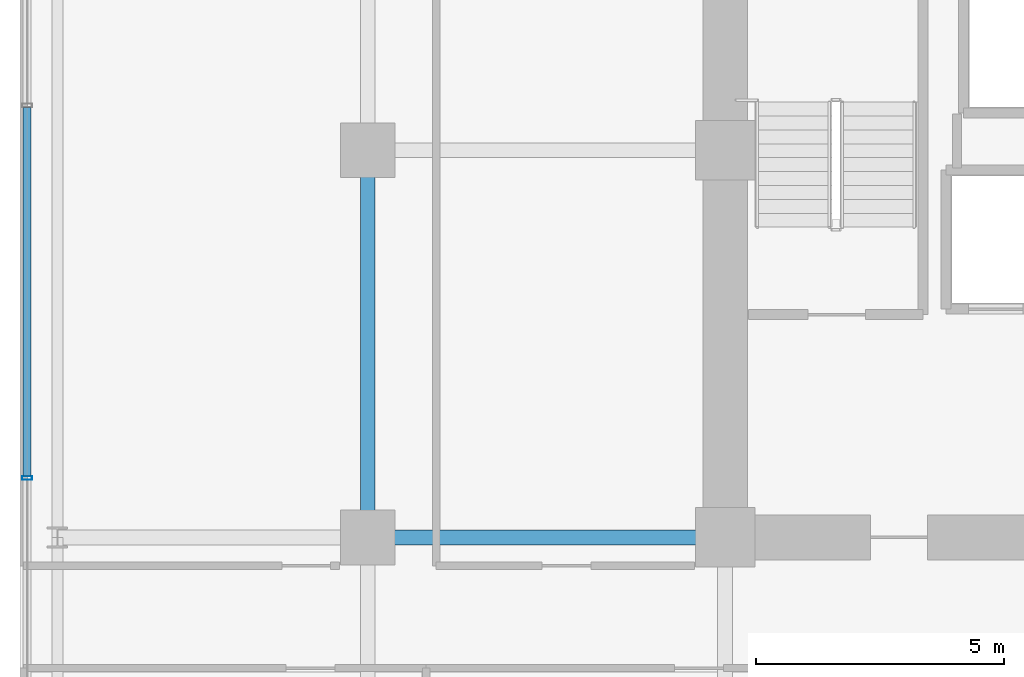
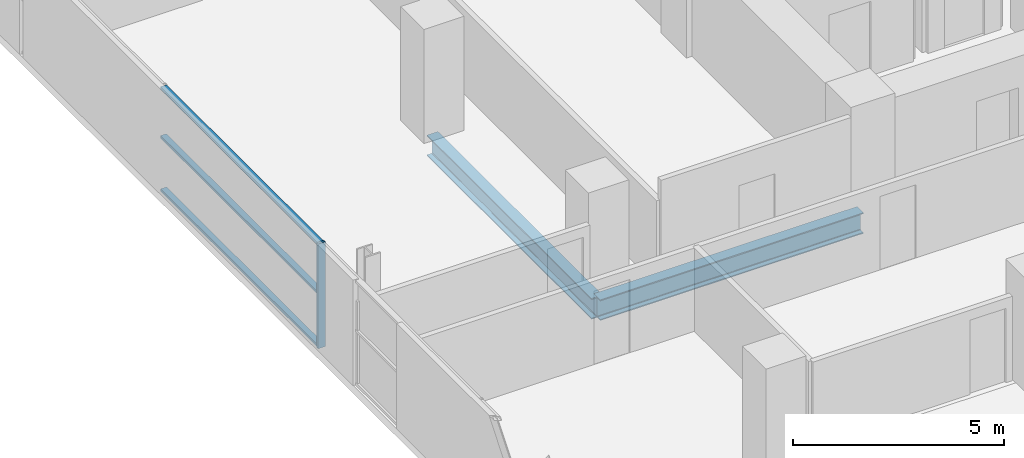
# One storey, part 8 of 27: 4 members, 2 beams, 1 element without a shape of its own.
"""IFC4 building model written with IfcOpenShell, lengths in metres."""

import ifcopenshell
import ifcopenshell.guid

model = None  # the IFC model being written
_history = None  # IfcOwnerHistory: only IFC2X3 demands one
_inside = {}  # id of a spatial element -> (the spatial element, [elements in it])
_under = {}  # id of a project, library or spatial element -> (it, [spatial elements below it])
_declared = {}  # id of a project -> (the project, [libraries it declares])
_typed = {}  # id of a type object -> (the type object, [elements of that type])
_made_of = {}  # id of a material, layer set ... -> (it, [elements and type objects made of it])


def new_model(schema):
    """Start an empty IFC model of exactly this schema.

    Asked for "IFC4X3", IfcOpenShell would pick the latest addendum, in which some entities
    have other attributes; the version numbers below select the first issue.
    IFC2X3 requires an IfcOwnerHistory on every rooted entity: one is made here for all.
    """
    global model, _history
    if schema == "IFC4X3":
        model = ifcopenshell.file(schema_version=(4, 3, 0, 0))
    else:
        model = ifcopenshell.file(schema=schema)
    _inside.clear()
    _under.clear()
    _declared.clear()
    _typed.clear()
    _made_of.clear()
    _history = None
    if model.schema == "IFC2X3":
        org = make("IfcOrganization", Name="unknown")
        user = make(
            "IfcPersonAndOrganization",
            ThePerson=make("IfcPerson", FamilyName="unknown"),
            TheOrganization=org,
        )
        app = make(
            "IfcApplication",
            ApplicationDeveloper=org,
            Version="unknown",
            ApplicationFullName="unknown",
            ApplicationIdentifier="unknown",
        )
        _history = make(
            "IfcOwnerHistory",
            OwningUser=user,
            OwningApplication=app,
            ChangeAction="ADDED",
            CreationDate=0,
        )
    return model


def make(cls, **values):
    """One entity of the class cls with the attributes given. An attribute that is None is left unset."""
    return model.create_entity(
        cls, **{name: value for name, value in values.items() if value is not None}
    )


def rooted(cls, **values):
    """An entity with a GlobalId (a new one), such as an element, a storey or a relation."""
    return make(cls, GlobalId=ifcopenshell.guid.new(), OwnerHistory=_history, **values)


def si_unit(unit_type, name, prefix=None):
    """IfcSIUnit, for example si_unit("LENGTHUNIT", "METRE", prefix="MILLI")."""
    return make("IfcSIUnit", UnitType=unit_type, Prefix=prefix, Name=name)


def assignment(units):
    """IfcUnitAssignment: the units of a project."""
    return None if units is None else make("IfcUnitAssignment", Units=units)


def point(xyz):
    """IfcCartesianPoint."""
    return None if xyz is None else make("IfcCartesianPoint", Coordinates=xyz)


def direction(xyz):
    """IfcDirection."""
    return None if xyz is None else make("IfcDirection", DirectionRatios=xyz)


def frame(location, z_axis=None, x_axis=None):
    """IfcAxis2Placement3D, a coordinate frame: its origin and axes. An axis left out is left unset."""
    return make(
        "IfcAxis2Placement3D",
        Location=point(location),
        Axis=direction(z_axis),
        RefDirection=direction(x_axis),
    )


def frame_2d(location, x_axis=None):
    """IfcAxis2Placement2D, a coordinate frame in the plane: its origin and x axis."""
    return make(
        "IfcAxis2Placement2D", Location=point(location), RefDirection=direction(x_axis)
    )


def origin():
    """The frame at (0, 0, 0) with its axes left unset."""
    return frame((0.0, 0.0, 0.0))


def origin_2d():
    """The frame at (0, 0) in the plane with its x axis left unset."""
    return frame_2d((0.0, 0.0))


def place(relative_to, where):
    """IfcLocalPlacement: puts the frame where relative to a parent placement (None: the world)."""
    return make(
        "IfcLocalPlacement", PlacementRelTo=relative_to, RelativePlacement=where
    )


def context(
    kind, dimensions, precision=None, world=None, true_north=None, identifier=None
):
    """IfcGeometricRepresentationContext, for example the 3D "Model" context."""
    return make(
        "IfcGeometricRepresentationContext",
        ContextIdentifier=identifier,
        ContextType=kind,
        CoordinateSpaceDimension=dimensions,
        Precision=precision,
        WorldCoordinateSystem=world,
        TrueNorth=true_north,
    )


def subcontext(parent, identifier, kind, view, scale=None):
    """IfcGeometricRepresentationSubContext, for example "Body" below "Model"."""
    return make(
        "IfcGeometricRepresentationSubContext",
        ContextIdentifier=identifier,
        ContextType=kind,
        ParentContext=parent,
        TargetScale=scale,
        TargetView=view,
    )


def project(units=None, contexts=None):
    """IfcProject with its units and contexts."""
    return rooted(
        "IfcProject",
        Name="project",
        RepresentationContexts=contexts,
        UnitsInContext=assignment(units),
    )


def spatial(cls, under=None, at=None, **own):
    """A site, building, storey or space (cls), placed at a placement, below another one or the project."""
    s = rooted(cls, ObjectPlacement=at, **own)
    if under is not None:
        _under.setdefault(under.id(), (under, []))[1].append(s)
    return s


def profile(cls, at=None, kind="AREA", **sizes):
    """A parametric profile (cls). Its sizes go by their IFC names, for example OverallWidth=200.0."""
    return make(cls, ProfileType=kind, Position=at, **sizes)


def hollow_rectangle(**sizes):
    """IfcRectangleHollowProfileDef."""
    return profile("IfcRectangleHollowProfileDef", **sizes)


def i_section(**sizes):
    """IfcIShapeProfileDef."""
    return profile("IfcIShapeProfileDef", **sizes)


def extrude(swept, where, along, depth):
    """IfcExtrudedAreaSolid: the profile swept, set in the frame where, extruded along a direction by depth."""
    return make(
        "IfcExtrudedAreaSolid",
        SweptArea=swept,
        Position=where,
        ExtrudedDirection=direction(along),
        Depth=depth,
    )


def shape(context_of_items, identifier, shape_type, items):
    """IfcShapeRepresentation: the items that make up one representation, for example the "Body"."""
    return make(
        "IfcShapeRepresentation",
        ContextOfItems=context_of_items,
        RepresentationIdentifier=identifier,
        RepresentationType=shape_type,
        Items=items,
    )


def source(mapping_origin, context_of_items, identifier, shape_type, items):
    """IfcRepresentationMap: a shape defined once, which mapped items show again and again."""
    return make(
        "IfcRepresentationMap",
        MappingOrigin=mapping_origin,
        MappedRepresentation=shape(context_of_items, identifier, shape_type, items),
    )


def transform(
    local_origin,
    x_axis=None,
    y_axis=None,
    z_axis=None,
    scale=None,
    scale2=None,
    scale3=None,
    uniform=True,
):
    """IfcCartesianTransformationOperator3D, or its non-uniform kind. x_axis, y_axis, z_axis: its Axis1, 2, 3."""
    if uniform:
        return make(
            "IfcCartesianTransformationOperator3D",
            Axis1=direction(x_axis),
            Axis2=direction(y_axis),
            LocalOrigin=point(local_origin),
            Scale=scale,
            Axis3=direction(z_axis),
        )
    return make(
        "IfcCartesianTransformationOperator3DnonUniform",
        Axis1=direction(x_axis),
        Axis2=direction(y_axis),
        LocalOrigin=point(local_origin),
        Scale=scale,
        Axis3=direction(z_axis),
        Scale2=scale2,
        Scale3=scale3,
    )


def mapped(mapping_source, mapping_target):
    """IfcMappedItem: shows the shape of a source again, moved by a transform."""
    return make(
        "IfcMappedItem", MappingSource=mapping_source, MappingTarget=mapping_target
    )


def material(Name=None, Category=None):
    """IfcMaterial."""
    return make("IfcMaterial", Name=Name, Category=Category)


def layer(
    of_material, thickness, ventilated=None, Name=None, Category=None, Priority=None
):
    """IfcMaterialLayer: one layer of a wall or slab, of a material (None: an air gap)."""
    return make(
        "IfcMaterialLayer",
        Material=of_material,
        LayerThickness=thickness,
        IsVentilated=ventilated,
        Name=Name,
        Category=Category,
        Priority=Priority,
    )


def layer_set(layers, Name=None):
    """IfcMaterialLayerSet."""
    return make("IfcMaterialLayerSet", MaterialLayers=layers, LayerSetName=Name)


def material_profile(
    of_material, cross_section, Name=None, Category=None, Priority=None
):
    """IfcMaterialProfile: a cross section and its material."""
    return make(
        "IfcMaterialProfile",
        Name=Name,
        Material=of_material,
        Profile=cross_section,
        Priority=Priority,
        Category=Category,
    )


def profile_set(profiles, Name=None, composite=None):
    """IfcMaterialProfileSet."""
    return make(
        "IfcMaterialProfileSet",
        Name=Name,
        MaterialProfiles=profiles,
        CompositeProfile=composite,
    )


def made_of(thing, what):
    """Note that an element or type object is made of a material, layer set ...; save() writes the relation."""
    if what is not None:
        _made_of.setdefault(what.id(), (what, []))[1].append(thing)
    return thing


def type_object(cls, material=None, **own):
    """A type object (cls), such as IfcWallType, which elements share."""
    return made_of(rooted(cls, **own), material)


def element(
    cls,
    number,
    at=None,
    inside=None,
    cuts=None,
    type_object=None,
    material=None,
    context=None,
    identifier="Body",
    shape_type=None,
    held_by="IfcProductDefinitionShape",
    body=None,
    shapes=None,
    **own,
):
    """One element of the class cls, such as IfcWall. Its Tag is "e" and its number.

    at: its placement. inside: the storey or other place that contains it. cuts: it is an
    opening in that element (IfcRelVoidsElement). A single representation is given by context,
    identifier, shape_type and body (its items); several are given by shapes. held_by: the class
    of the entity that holds the representations. save() writes the other relations.
    """
    e = rooted(cls, Tag="e%d" % number, ObjectPlacement=at, **own)
    if body is not None:
        shapes = [shape(context, identifier, shape_type, body)]
    if shapes is not None:
        e.Representation = make(held_by, Representations=shapes)
    if inside is not None:
        _inside.setdefault(inside.id(), (inside, []))[1].append(e)
    if cuts is not None:
        rooted(
            "IfcRelVoidsElement", RelatingBuildingElement=cuts, RelatedOpeningElement=e
        )
    if type_object is not None:
        _typed.setdefault(type_object.id(), (type_object, []))[1].append(e)
    return made_of(e, material)


def aggregate(whole, parts):
    """IfcRelAggregates: a whole, such as a stair, and the parts it consists of."""
    return rooted("IfcRelAggregates", RelatingObject=whole, RelatedObjects=parts)


def save(model, path):
    """Write the relations noted so far, then the file.

    IfcRelAggregates (storeys below a building ...), IfcRelContainedInSpatialStructure (elements
    in a storey), IfcRelDefinesByType, IfcRelAssociatesMaterial and IfcRelDeclares: one each for
    every whole, place, type object, material and project.
    """
    for whole, parts in _under.values():
        aggregate(whole, parts)
    for where, things in _inside.values():
        rooted(
            "IfcRelContainedInSpatialStructure",
            RelatedElements=things,
            RelatingStructure=where,
        )
    for kind, things in _typed.values():
        rooted("IfcRelDefinesByType", RelatedObjects=things, RelatingType=kind)
    for what, things in _made_of.values():
        rooted("IfcRelAssociatesMaterial", RelatedObjects=things, RelatingMaterial=what)
    for by, libraries in _declared.values():
        rooted("IfcRelDeclares", RelatingContext=by, RelatedDefinitions=libraries)
    model.write(path)


model = new_model("IFC4")

# Units and contexts
model_context = context("Model", 3, precision=1e-05, world=origin(), true_north=direction((0.0, 1.0)))
body_context = subcontext(model_context, "Body", "Model", "MODEL_VIEW")
ifc_project = project(units=[si_unit("LENGTHUNIT", "METRE"), si_unit("AREAUNIT", "SQUARE_METRE"), si_unit("VOLUMEUNIT", "CUBIC_METRE"), si_unit("PLANEANGLEUNIT", "RADIAN"), si_unit("MASSUNIT", "GRAM", prefix="KILO")], contexts=[model_context])

# Site, building, storey
site_placement = place(None, origin())
site = spatial("IfcSite", under=ifc_project, at=site_placement, CompositionType="ELEMENT")
building_placement = place(site_placement, origin())
building = spatial("IfcBuilding", under=site, at=building_placement, Name="Zarnakvel Exchange Tower", CompositionType="ELEMENT")
storey_placement = place(building_placement, frame((0.0, 0.0, 76.89990234375)))
storey = spatial("IfcBuildingStorey", under=building, at=storey_placement, Name="L21", CompositionType="ELEMENT", Elevation=76.89990234375)

# Beams
ifc_material_1 = material(Name="Steel S355", Category="steel")
ifc_material_profile_1 = material_profile(ifc_material_1, i_section(OverallWidth=0.300048828125, OverallDepth=0.60009765625, WebThickness=0.015380859375, FlangeThickness=0.030029296875, FilletRadius=0.027099609375, at=origin_2d()))
ifc_profile_set_1 = profile_set([ifc_material_profile_1], Name="Steel S355")
beam_type = type_object("IfcBeamType", Name="G-04", PredefinedType="BEAM", material=ifc_profile_set_1)
beam_1_placement = place(storey_placement, frame((-21.60009765625, -1.199951171875, -0.52490234375), z_axis=(1.0, 0.0, 0.0), x_axis=(0.0, 1.0, 0.0)))
element("IfcBeam", 1, at=beam_1_placement, inside=storey, type_object=beam_type, Name="L21 Tower E-W Frame Beam", PredefinedType="BEAM", context=body_context, shape_type="SweptSolid", body=[
    extrude(i_section(OverallWidth=0.300048828125, OverallDepth=0.60009765625, WebThickness=0.015380859375, FlangeThickness=0.030029296875, FilletRadius=0.027099609375, at=origin_2d()), origin(), (0.0, 0.0, 1.0), 7.2001953125),
])
beam_2_placement = place(storey_placement, frame((-21.60009765625, -1.199951171875, -0.52490234375), z_axis=(0.0, 1.0, 0.0), x_axis=(-1.0, 0.0, 0.0)))
element("IfcBeam", 2, at=beam_2_placement, inside=storey, type_object=beam_type, Name="L21 Tower N-S Frame Beam", PredefinedType="BEAM", context=body_context, shape_type="SweptSolid", body=[
    extrude(i_section(OverallWidth=0.300048828125, OverallDepth=0.60009765625, WebThickness=0.015380859375, FlangeThickness=0.030029296875, FilletRadius=0.027099609375, at=origin_2d()), origin(), (0.0, 0.0, 1.0), 7.800048828125),
])

# Curtain wall, members
ifc_material_2 = material(Name="Architectural Bronze Anodised Aluminium", Category="aluminium")
ifc_layer = layer(ifc_material_2, 0.199951171875)
ifc_layer_set = layer_set([ifc_layer], Name="Architectural Bronze Anodised Aluminium")
curtain_wall_type = type_object("IfcCurtainWallType", Name="CW-04", PredefinedType="NOTDEFINED", material=ifc_layer_set)
curtain_wall_placement = place(storey_placement, origin())
curtain_wall = element("IfcCurtainWall", 3, at=curtain_wall_placement, inside=storey, type_object=curtain_wall_type, Name="L21 Curtain Wall CW-L21-W1 (CW-04)", PredefinedType="NOTDEFINED")
ifc_material_profile_2 = material_profile(ifc_material_2, hollow_rectangle(XDim=0.159912109375, YDim=0.074951171875, WallThickness=0.00390625, at=origin_2d()))
ifc_profile_set_2 = profile_set([ifc_material_profile_2], Name="Architectural Bronze Anodised Aluminium")
member_type_1 = type_object("IfcMemberType", Name="CWT-04", PredefinedType="USERDEFINED", material=ifc_profile_set_2)
shared_shape_1 = source(origin(), body_context, "Body", "SweptSolid", [
    extrude(hollow_rectangle(XDim=0.159912109375, YDim=0.074951171875, WallThickness=0.00390625, at=origin_2d()), origin(), (0.0, 0.0, 1.0), 7.4248046875),
])
member_1_placement = place(storey_placement, frame((-28.4599609375, 0.03759765625, 0.03759765625), z_axis=(0.0, 1.0, 0.0), x_axis=(-1.0, 0.0, 0.0)))
member_1 = element("IfcMember", 4, at=member_1_placement, type_object=member_type_1, Name="CW-04 transom 3.1", ObjectType="TRANSOM", PredefinedType="USERDEFINED", context=body_context, shape_type="MappedRepresentation", body=[
    mapped(shared_shape_1, transform((0.0, 0.0, 0.0), x_axis=(1.0, 0.0, 0.0), y_axis=(0.0, 1.0, 0.0), z_axis=(0.0, 0.0, 1.0), scale=1.0)),
])
member_2_placement = place(storey_placement, frame((-28.4599609375, 0.03759765625, 1.57568359375), z_axis=(0.0, 1.0, 0.0), x_axis=(-1.0, 0.0, 0.0)))
member_2 = element("IfcMember", 5, at=member_2_placement, type_object=member_type_1, Name="CW-04 transom 3.2", ObjectType="TRANSOM", PredefinedType="USERDEFINED", context=body_context, shape_type="MappedRepresentation", body=[
    mapped(shared_shape_1, transform((0.0, 0.0, 0.0), x_axis=(1.0, 0.0, 0.0), y_axis=(0.0, 1.0, 0.0), z_axis=(0.0, 0.0, 1.0), scale=1.0)),
])
member_3_placement = place(storey_placement, frame((-28.4599609375, 0.03759765625, 2.99267578125), z_axis=(0.0, 1.0, 0.0), x_axis=(-1.0, 0.0, 0.0)))
member_3 = element("IfcMember", 6, at=member_3_placement, type_object=member_type_1, Name="CW-04 transom 3.3", ObjectType="TRANSOM", PredefinedType="USERDEFINED", context=body_context, shape_type="MappedRepresentation", body=[
    mapped(shared_shape_1, transform((0.0, 0.0, 0.0), x_axis=(1.0, 0.0, 0.0), y_axis=(0.0, 1.0, 0.0), z_axis=(0.0, 0.0, 1.0), scale=1.0)),
])
ifc_material_profile_3 = material_profile(ifc_material_2, hollow_rectangle(XDim=0.199951171875, YDim=0.074951171875, WallThickness=0.0048828125, at=origin_2d()))
ifc_profile_set_3 = profile_set([ifc_material_profile_3], Name="Architectural Bronze Anodised Aluminium")
member_type_2 = type_object("IfcMemberType", Name="CWM-04", PredefinedType="MULLION", material=ifc_profile_set_3)
shared_shape_2 = source(origin(), body_context, "Body", "SweptSolid", [
    extrude(hollow_rectangle(XDim=0.199951171875, YDim=0.074951171875, WallThickness=0.0048828125, at=origin_2d()), origin(), (0.0, 0.0, 1.0), 3.030029296875),
])
member_4_placement = place(storey_placement, frame((-28.4599609375, 0.0, 0.0), z_axis=(0.0, 0.0, 1.0), x_axis=(-1.0, 0.0, 0.0)))
member_4 = element("IfcMember", 7, at=member_4_placement, type_object=member_type_2, Name="CW-04 mullion 3", PredefinedType="MULLION", context=body_context, shape_type="MappedRepresentation", body=[
    mapped(shared_shape_2, transform((0.0, 0.0, 0.0), x_axis=(1.0, 0.0, 0.0), y_axis=(0.0, 1.0, 0.0), z_axis=(0.0, 0.0, 1.0), scale=1.0)),
])
aggregate(curtain_wall, [member_4, member_1, member_2, member_3])

save(model, "model.ifc")
